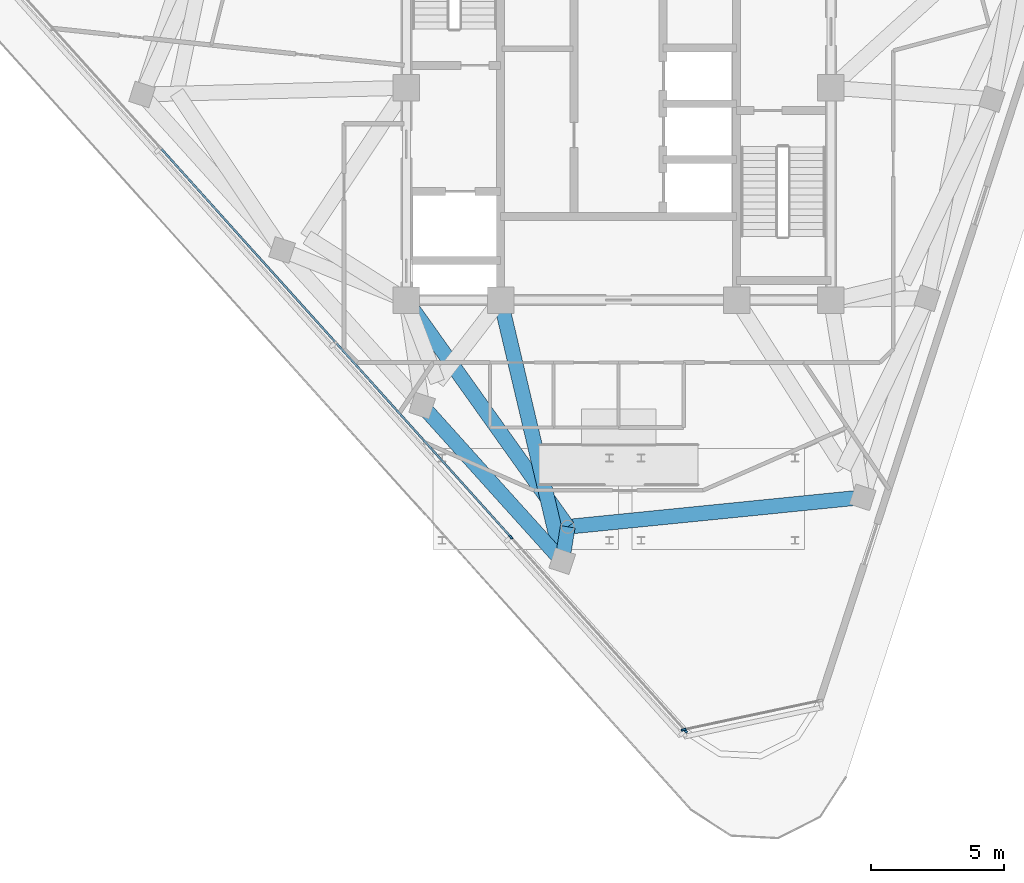
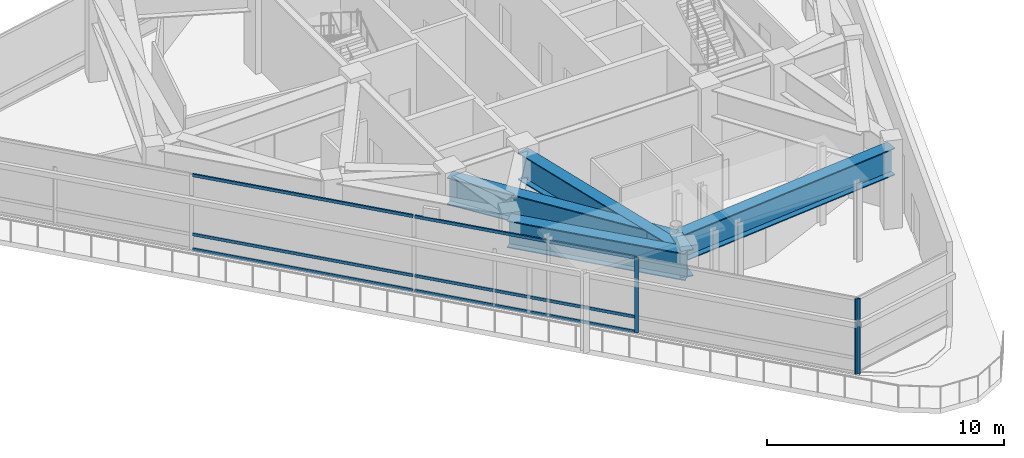
# One storey, part 3 of 15: 9 members, 5 beams, 2 elements without a shape of their own.
"""IFC4 building model written with IfcOpenShell, lengths in metres."""

from ifc_helpers import new_model, si_unit, direction, frame, origin, origin_2d, place, context, subcontext, project, spatial, rectangle, i_section, extrude, material, layer, layer_set, material_profile, profile_set, type_object, element, aggregate, save


model = new_model("IFC4")

# Units and contexts
model_context = context("Model", 3, precision=1e-05, world=origin(), true_north=direction((0.0, 1.0)))
body_context = subcontext(model_context, "Body", "Model", "MODEL_VIEW")
ifc_project = project(units=[si_unit("LENGTHUNIT", "METRE"), si_unit("AREAUNIT", "SQUARE_METRE"), si_unit("VOLUMEUNIT", "CUBIC_METRE"), si_unit("PLANEANGLEUNIT", "RADIAN"), si_unit("MASSUNIT", "GRAM", prefix="KILO")], contexts=[model_context])

# Site, building, storey
site_placement = place(None, origin())
site = spatial("IfcSite", under=ifc_project, at=site_placement, CompositionType="ELEMENT")
building_placement = place(site_placement, origin())
building = spatial("IfcBuilding", under=site, at=building_placement, Name="Terralouvre Media Tower", CompositionType="ELEMENT")
storey_placement = place(building_placement, frame((0.0, 0.0, 312.800048828125)))
storey = spatial("IfcBuildingStorey", under=building, at=storey_placement, Name="L81", CompositionType="ELEMENT", Elevation=312.800048828125)

# Curtain wall, members
ifc_material_1 = material(Name="Low-iron laminated double glazing with solar-control coating", Category="glass")
ifc_layer_1 = layer(ifc_material_1, 0.1650390625, Name="Faceted Glass-Point Crown Curtain Wall CW-06")
ifc_layer_set_1 = layer_set([ifc_layer_1], Name="Low-iron laminated double glazing with solar-control coating")
curtain_wall_type_1 = type_object("IfcCurtainWallType", Name="Faceted Glass-Point Crown Curtain Wall CW-06", PredefinedType="NOTDEFINED", material=ifc_layer_set_1)
curtain_wall_1_placement = place(storey_placement, origin())
curtain_wall_1 = element("IfcCurtainWall", 1, at=curtain_wall_1_placement, inside=storey, type_object=curtain_wall_type_1, Name="L81 Facade Curtain Wall F2", PredefinedType="NOTDEFINED")
ifc_material_2 = material(Name="Anodised extruded aluminium 6063-T6", Category="aluminium")
ifc_material_profile_1 = material_profile(ifc_material_2, rectangle(XDim=0.074951171875, YDim=0.14990234375, at=origin_2d()), Name="ALU 75x150")
ifc_profile_set_1 = profile_set([ifc_material_profile_1], Name="Anodised extruded aluminium 6063-T6")
member_type_1 = type_object("IfcMemberType", Name="Curtain-Wall Horizontal Transom TR-150", PredefinedType="USERDEFINED", material=ifc_profile_set_1)
member_1_placement = place(storey_placement, frame((-17.233154296875, -2.29931640625, 0.037353515625), z_axis=(0.669123241858, -0.743151456438, 0.0), x_axis=(0.743151456438, 0.669123241858, 0.0)))
member_1 = element("IfcMember", 2, at=member_1_placement, type_object=member_type_1, Name="CW-06 transom 2.1", ObjectType="TRANSOM", PredefinedType="USERDEFINED", context=body_context, shape_type="SweptSolid", body=[
    extrude(rectangle(XDim=0.074951171875, YDim=0.14990234375, at=origin_2d()), origin(), (0.0, 0.0, 1.0), 9.784912109375),
])
member_2_placement = place(storey_placement, frame((-17.233154296875, -2.29931640625, 0.800048828125), z_axis=(0.669123241858, -0.743151456438, 0.0), x_axis=(0.743151456438, 0.669123241858, 0.0)))
member_2 = element("IfcMember", 3, at=member_2_placement, type_object=member_type_1, Name="CW-06 transom 2.2", ObjectType="TRANSOM", PredefinedType="USERDEFINED", context=body_context, shape_type="SweptSolid", body=[
    extrude(rectangle(XDim=0.074951171875, YDim=0.14990234375, at=origin_2d()), origin(), (0.0, 0.0, 1.0), 9.784912109375),
])
member_3_placement = place(storey_placement, frame((-17.233154296875, -2.29931640625, 3.842529296875), z_axis=(0.669123241858, -0.743151456438, 0.0), x_axis=(0.743151456438, 0.669123241858, 0.0)))
member_3 = element("IfcMember", 4, at=member_3_placement, type_object=member_type_1, Name="CW-06 transom 2.3", ObjectType="TRANSOM", PredefinedType="USERDEFINED", context=body_context, shape_type="SweptSolid", body=[
    extrude(rectangle(XDim=0.074951171875, YDim=0.14990234375, at=origin_2d()), origin(), (0.0, 0.0, 1.0), 9.784912109375),
])
member_4_placement = place(storey_placement, frame((-10.635498046875, -9.626708984375, 0.037353515625), z_axis=(0.669123241858, -0.743151456438, 0.0), x_axis=(0.743151456438, 0.669123241858, 0.0)))
member_4 = element("IfcMember", 5, at=member_4_placement, type_object=member_type_1, Name="CW-06 transom 3.1", ObjectType="TRANSOM", PredefinedType="USERDEFINED", context=body_context, shape_type="SweptSolid", body=[
    extrude(rectangle(XDim=0.074951171875, YDim=0.14990234375, at=origin_2d()), origin(), (0.0, 0.0, 1.0), 9.784912109375),
])
member_5_placement = place(storey_placement, frame((-10.635498046875, -9.626708984375, 0.800048828125), z_axis=(0.669123241858, -0.743151456438, 0.0), x_axis=(0.743151456438, 0.669123241858, 0.0)))
member_5 = element("IfcMember", 6, at=member_5_placement, type_object=member_type_1, Name="CW-06 transom 3.2", ObjectType="TRANSOM", PredefinedType="USERDEFINED", context=body_context, shape_type="SweptSolid", body=[
    extrude(rectangle(XDim=0.074951171875, YDim=0.14990234375, at=origin_2d()), origin(), (0.0, 0.0, 1.0), 9.784912109375),
])
member_6_placement = place(storey_placement, frame((-10.635498046875, -9.626708984375, 3.842529296875), z_axis=(0.669123241858, -0.743151456438, 0.0), x_axis=(0.743151456438, 0.669123241858, 0.0)))
member_6 = element("IfcMember", 7, at=member_6_placement, type_object=member_type_1, Name="CW-06 transom 3.3", ObjectType="TRANSOM", PredefinedType="USERDEFINED", context=body_context, shape_type="SweptSolid", body=[
    extrude(rectangle(XDim=0.074951171875, YDim=0.14990234375, at=origin_2d()), origin(), (0.0, 0.0, 1.0), 9.784912109375),
])
ifc_material_3 = material(Name="Anodised extruded aluminium 6063-T6", Category="aluminium")
ifc_material_profile_2 = material_profile(ifc_material_3, rectangle(XDim=0.074951171875, YDim=0.179931640625, at=origin_2d()), Name="ALU 75x180")
ifc_profile_set_2 = profile_set([ifc_material_profile_2], Name="Anodised extruded aluminium 6063-T6")
member_type_2 = type_object("IfcMemberType", Name="Curtain-Wall Vertical Mullion ML-180", PredefinedType="MULLION", material=ifc_profile_set_2)
member_7_placement = place(storey_placement, frame((-4.06298828125, -16.92626953125, 0.0), z_axis=(0.0, 0.0, 1.0), x_axis=(0.743144691688, 0.669130754947, 0.0)))
member_7 = element("IfcMember", 8, at=member_7_placement, type_object=member_type_2, Name="CW-06 mullion 4", PredefinedType="MULLION", context=body_context, shape_type="SweptSolid", body=[
    extrude(rectangle(XDim=0.074951171875, YDim=0.179931640625, at=origin_2d()), origin(), (0.0, 0.0, 1.0), 3.8798828125),
])
member_8_placement = place(storey_placement, frame((2.509521484375, -24.225830078125, 0.0), z_axis=(0.0, 0.0, 1.0), x_axis=(0.743144691688, 0.669130754947, 0.0)))
member_8 = element("IfcMember", 9, at=member_8_placement, type_object=member_type_2, Name="CW-06 mullion 5", PredefinedType="MULLION", context=body_context, shape_type="SweptSolid", body=[
    extrude(rectangle(XDim=0.074951171875, YDim=0.179931640625, at=origin_2d()), origin(), (0.0, 0.0, 1.0), 3.8798828125),
])
aggregate(curtain_wall_1, [member_7, member_8, member_1, member_2, member_3, member_4, member_5, member_6])

# Curtain wall, member
ifc_material_4 = material(Name="Low-iron laminated double glazing with solar-control coating", Category="glass")
ifc_layer_2 = layer(ifc_material_4, 0.1650390625, Name="Rounded Wind-Corner Curved Glazing CW-04")
ifc_layer_set_2 = layer_set([ifc_layer_2], Name="Low-iron laminated double glazing with solar-control coating")
curtain_wall_type_2 = type_object("IfcCurtainWallType", Name="Rounded Wind-Corner Curved Glazing CW-04", PredefinedType="NOTDEFINED", material=ifc_layer_set_2)
curtain_wall_2_placement = place(storey_placement, origin())
curtain_wall_2 = element("IfcCurtainWall", 10, at=curtain_wall_2_placement, inside=storey, type_object=curtain_wall_type_2, Name="L81 Rounded Wind-Corner Curtain Wall C0", PredefinedType="NOTDEFINED")
member_9_placement = place(storey_placement, frame((2.452880859375, -24.189208984375, 0.0), z_axis=(0.0, 0.0, 1.0), x_axis=(-0.207911709341, 0.978147596797, 0.0)))
member_9 = element("IfcMember", 11, at=member_9_placement, type_object=member_type_2, Name="CW-04 mullion 1", PredefinedType="MULLION", context=body_context, shape_type="SweptSolid", body=[
    extrude(rectangle(XDim=0.074951171875, YDim=0.179931640625, at=origin_2d()), origin(), (0.0, 0.0, 1.0), 3.8798828125),
])
aggregate(curtain_wall_2, [member_9])

# Beams
ifc_material_5 = material(Name="Structural steel S460M", Category="steel")
ifc_material_profile_3 = material_profile(ifc_material_5, i_section(OverallWidth=0.56005859375, OverallDepth=1.39990234375, WebThickness=0.031982421875, FlangeThickness=0.050048828125, at=origin_2d()), Name="TG 1400x560")
ifc_profile_set_3 = profile_set([ifc_material_profile_3], Name="Structural steel S460M")
beam_type = type_object("IfcBeamType", Name="Welded Transfer Girder TG-1400 (TG 1400x560)", PredefinedType="USERDEFINED", material=ifc_profile_set_3)
beam_1_placement = place(storey_placement, frame((-7.40478515625, -11.974609375, 3.39990234375), z_axis=(0.669135715464, -0.743140225186, 0.0), x_axis=(0.743140225186, 0.669135715464, 0.0)))
element("IfcBeam", 12, at=beam_1_placement, inside=storey, type_object=beam_type, Name="L81 Framing Beam BM-L81-PR03", ObjectType="TRANSFER GIRDER", PredefinedType="USERDEFINED", context=body_context, shape_type="SweptSolid", body=[
    extrude(i_section(OverallWidth=0.56005859375, OverallDepth=1.39990234375, WebThickness=0.031982421875, FlangeThickness=0.050048828125, at=origin_2d()), origin(), (0.0, 0.0, 1.0), 7.887939453125),
])
beam_2_placement = place(storey_placement, frame((-2.126708984375, -17.83642578125, 3.39990234375), z_axis=(0.15926172071, 0.987236397382, 0.0), x_axis=(-0.987236397382, 0.15926172071, 0.0)))
element("IfcBeam", 13, at=beam_2_placement, inside=storey, type_object=beam_type, Name="L81 Framing Beam BM-L81-PR04", ObjectType="TRANSFER GIRDER", PredefinedType="USERDEFINED", context=body_context, shape_type="SweptSolid", body=[
    extrude(i_section(OverallWidth=0.56005859375, OverallDepth=1.39990234375, WebThickness=0.031982421875, FlangeThickness=0.050048828125, at=origin_2d()), origin(), (0.0, 0.0, 1.0), 1.310791015625),
])
beam_3_placement = place(storey_placement, frame((-1.91796875, -16.54248046875, 3.39990234375), z_axis=(0.995023982064, 0.099635712057, 0.0), x_axis=(-0.099635712057, 0.995023982064, 0.0)))
element("IfcBeam", 14, at=beam_3_placement, inside=storey, type_object=beam_type, Name="L81 Framing Beam BM-L81-PR05", ObjectType="TRANSFER GIRDER", PredefinedType="USERDEFINED", context=body_context, shape_type="SweptSolid", body=[
    extrude(i_section(OverallWidth=0.56005859375, OverallDepth=1.39990234375, WebThickness=0.031982421875, FlangeThickness=0.050048828125, at=origin_2d()), origin(), (0.0, 0.0, 1.0), 11.171142578125),
])
beam_4_placement = place(storey_placement, frame((-4.449951171875, -8.0, 3.39990234375), z_axis=(0.229863229591, -0.973222942435, 0.0), x_axis=(0.973222942435, 0.229863229591, 0.0)))
element("IfcBeam", 15, at=beam_4_placement, inside=storey, type_object=beam_type, Name="L81 Framing Beam BM-L81-RD04", ObjectType="TRANSFER GIRDER", PredefinedType="USERDEFINED", context=body_context, shape_type="SweptSolid", body=[
    extrude(i_section(OverallWidth=0.56005859375, OverallDepth=1.39990234375, WebThickness=0.031982421875, FlangeThickness=0.050048828125, at=origin_2d()), origin(), (0.0, 0.0, 1.0), 10.107177734375),
])
beam_5_placement = place(storey_placement, frame((-8.0, -8.0, 3.39990234375), z_axis=(0.579991002788, -0.81462288004, 0.0), x_axis=(0.81462288004, 0.579991002788, 0.0)))
element("IfcBeam", 16, at=beam_5_placement, inside=storey, type_object=beam_type, Name="L81 Framing Beam BM-L81-RD05", ObjectType="TRANSFER GIRDER", PredefinedType="USERDEFINED", context=body_context, shape_type="SweptSolid", body=[
    extrude(i_section(OverallWidth=0.56005859375, OverallDepth=1.39990234375, WebThickness=0.031982421875, FlangeThickness=0.050048828125, at=origin_2d()), origin(), (0.0, 0.0, 1.0), 10.486328125),
])

save(model, "model.ifc")
